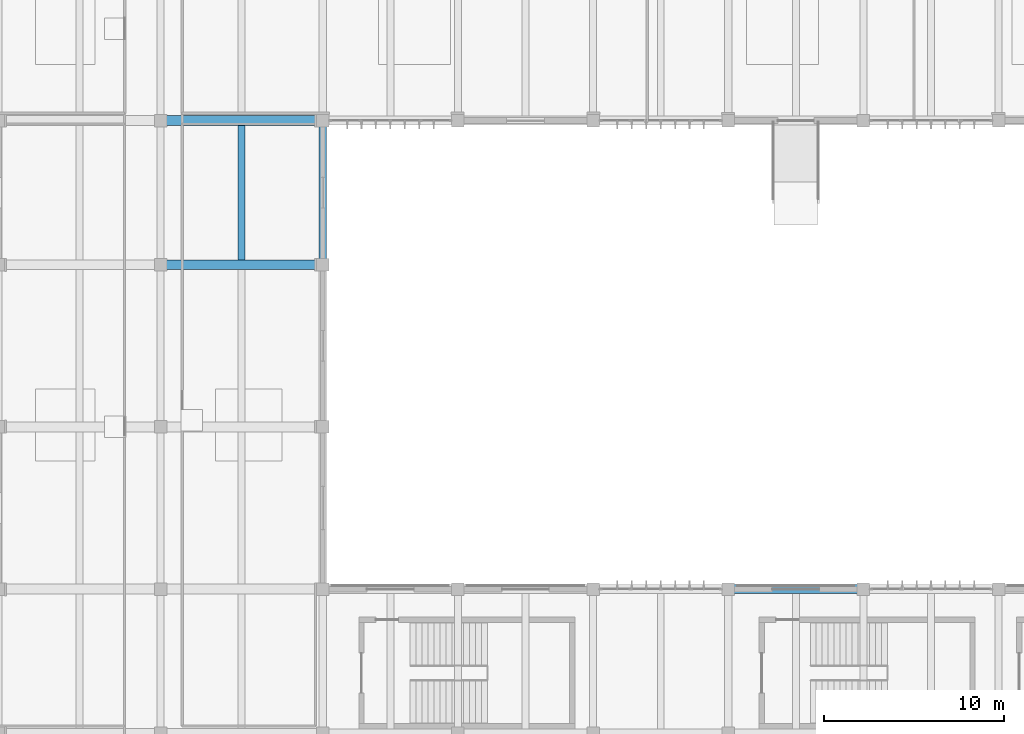
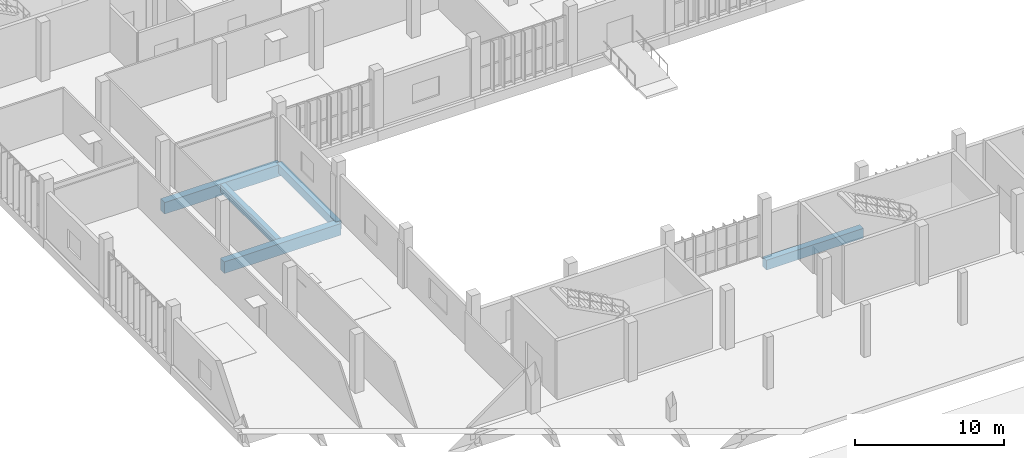
# One storey, part 11 of 72: 5 beams.
"""IFC4 building model written with IfcOpenShell, lengths in metres."""

import ifcopenshell
import ifcopenshell.guid

model = None  # the IFC model being written
_history = None  # IfcOwnerHistory: only IFC2X3 demands one
_inside = {}  # id of a spatial element -> (the spatial element, [elements in it])
_under = {}  # id of a project, library or spatial element -> (it, [spatial elements below it])
_declared = {}  # id of a project -> (the project, [libraries it declares])
_typed = {}  # id of a type object -> (the type object, [elements of that type])
_made_of = {}  # id of a material, layer set ... -> (it, [elements and type objects made of it])


def new_model(schema):
    """Start an empty IFC model of exactly this schema.

    Asked for "IFC4X3", IfcOpenShell would pick the latest addendum, in which some entities
    have other attributes; the version numbers below select the first issue.
    IFC2X3 requires an IfcOwnerHistory on every rooted entity: one is made here for all.
    """
    global model, _history
    if schema == "IFC4X3":
        model = ifcopenshell.file(schema_version=(4, 3, 0, 0))
    else:
        model = ifcopenshell.file(schema=schema)
    _inside.clear()
    _under.clear()
    _declared.clear()
    _typed.clear()
    _made_of.clear()
    _history = None
    if model.schema == "IFC2X3":
        org = make("IfcOrganization", Name="unknown")
        user = make(
            "IfcPersonAndOrganization",
            ThePerson=make("IfcPerson", FamilyName="unknown"),
            TheOrganization=org,
        )
        app = make(
            "IfcApplication",
            ApplicationDeveloper=org,
            Version="unknown",
            ApplicationFullName="unknown",
            ApplicationIdentifier="unknown",
        )
        _history = make(
            "IfcOwnerHistory",
            OwningUser=user,
            OwningApplication=app,
            ChangeAction="ADDED",
            CreationDate=0,
        )
    return model


def make(cls, **values):
    """One entity of the class cls with the attributes given. An attribute that is None is left unset."""
    return model.create_entity(
        cls, **{name: value for name, value in values.items() if value is not None}
    )


def rooted(cls, **values):
    """An entity with a GlobalId (a new one), such as an element, a storey or a relation."""
    return make(cls, GlobalId=ifcopenshell.guid.new(), OwnerHistory=_history, **values)


def si_unit(unit_type, name, prefix=None):
    """IfcSIUnit, for example si_unit("LENGTHUNIT", "METRE", prefix="MILLI")."""
    return make("IfcSIUnit", UnitType=unit_type, Prefix=prefix, Name=name)


def assignment(units):
    """IfcUnitAssignment: the units of a project."""
    return None if units is None else make("IfcUnitAssignment", Units=units)


def point(xyz):
    """IfcCartesianPoint."""
    return None if xyz is None else make("IfcCartesianPoint", Coordinates=xyz)


def direction(xyz):
    """IfcDirection."""
    return None if xyz is None else make("IfcDirection", DirectionRatios=xyz)


def frame(location, z_axis=None, x_axis=None):
    """IfcAxis2Placement3D, a coordinate frame: its origin and axes. An axis left out is left unset."""
    return make(
        "IfcAxis2Placement3D",
        Location=point(location),
        Axis=direction(z_axis),
        RefDirection=direction(x_axis),
    )


def frame_2d(location, x_axis=None):
    """IfcAxis2Placement2D, a coordinate frame in the plane: its origin and x axis."""
    return make(
        "IfcAxis2Placement2D", Location=point(location), RefDirection=direction(x_axis)
    )


def origin():
    """The frame at (0, 0, 0) with its axes left unset."""
    return frame((0.0, 0.0, 0.0))


def origin_2d():
    """The frame at (0, 0) in the plane with its x axis left unset."""
    return frame_2d((0.0, 0.0))


def place(relative_to, where):
    """IfcLocalPlacement: puts the frame where relative to a parent placement (None: the world)."""
    return make(
        "IfcLocalPlacement", PlacementRelTo=relative_to, RelativePlacement=where
    )


def context(
    kind, dimensions, precision=None, world=None, true_north=None, identifier=None
):
    """IfcGeometricRepresentationContext, for example the 3D "Model" context."""
    return make(
        "IfcGeometricRepresentationContext",
        ContextIdentifier=identifier,
        ContextType=kind,
        CoordinateSpaceDimension=dimensions,
        Precision=precision,
        WorldCoordinateSystem=world,
        TrueNorth=true_north,
    )


def subcontext(parent, identifier, kind, view, scale=None):
    """IfcGeometricRepresentationSubContext, for example "Body" below "Model"."""
    return make(
        "IfcGeometricRepresentationSubContext",
        ContextIdentifier=identifier,
        ContextType=kind,
        ParentContext=parent,
        TargetScale=scale,
        TargetView=view,
    )


def project(units=None, contexts=None):
    """IfcProject with its units and contexts."""
    return rooted(
        "IfcProject",
        Name="project",
        RepresentationContexts=contexts,
        UnitsInContext=assignment(units),
    )


def spatial(cls, under=None, at=None, **own):
    """A site, building, storey or space (cls), placed at a placement, below another one or the project."""
    s = rooted(cls, ObjectPlacement=at, **own)
    if under is not None:
        _under.setdefault(under.id(), (under, []))[1].append(s)
    return s


def profile(cls, at=None, kind="AREA", **sizes):
    """A parametric profile (cls). Its sizes go by their IFC names, for example OverallWidth=200.0."""
    return make(cls, ProfileType=kind, Position=at, **sizes)


def rectangle(**sizes):
    """IfcRectangleProfileDef."""
    return profile("IfcRectangleProfileDef", **sizes)


def extrude(swept, where, along, depth):
    """IfcExtrudedAreaSolid: the profile swept, set in the frame where, extruded along a direction by depth."""
    return make(
        "IfcExtrudedAreaSolid",
        SweptArea=swept,
        Position=where,
        ExtrudedDirection=direction(along),
        Depth=depth,
    )


def shape(context_of_items, identifier, shape_type, items):
    """IfcShapeRepresentation: the items that make up one representation, for example the "Body"."""
    return make(
        "IfcShapeRepresentation",
        ContextOfItems=context_of_items,
        RepresentationIdentifier=identifier,
        RepresentationType=shape_type,
        Items=items,
    )


def material(Name=None, Category=None):
    """IfcMaterial."""
    return make("IfcMaterial", Name=Name, Category=Category)


def material_profile(
    of_material, cross_section, Name=None, Category=None, Priority=None
):
    """IfcMaterialProfile: a cross section and its material."""
    return make(
        "IfcMaterialProfile",
        Name=Name,
        Material=of_material,
        Profile=cross_section,
        Priority=Priority,
        Category=Category,
    )


def profile_set(profiles, Name=None, composite=None):
    """IfcMaterialProfileSet."""
    return make(
        "IfcMaterialProfileSet",
        Name=Name,
        MaterialProfiles=profiles,
        CompositeProfile=composite,
    )


def made_of(thing, what):
    """Note that an element or type object is made of a material, layer set ...; save() writes the relation."""
    if what is not None:
        _made_of.setdefault(what.id(), (what, []))[1].append(thing)
    return thing


def type_object(cls, material=None, **own):
    """A type object (cls), such as IfcWallType, which elements share."""
    return made_of(rooted(cls, **own), material)


def element(
    cls,
    number,
    at=None,
    inside=None,
    cuts=None,
    type_object=None,
    material=None,
    context=None,
    identifier="Body",
    shape_type=None,
    held_by="IfcProductDefinitionShape",
    body=None,
    shapes=None,
    **own,
):
    """One element of the class cls, such as IfcWall. Its Tag is "e" and its number.

    at: its placement. inside: the storey or other place that contains it. cuts: it is an
    opening in that element (IfcRelVoidsElement). A single representation is given by context,
    identifier, shape_type and body (its items); several are given by shapes. held_by: the class
    of the entity that holds the representations. save() writes the other relations.
    """
    e = rooted(cls, Tag="e%d" % number, ObjectPlacement=at, **own)
    if body is not None:
        shapes = [shape(context, identifier, shape_type, body)]
    if shapes is not None:
        e.Representation = make(held_by, Representations=shapes)
    if inside is not None:
        _inside.setdefault(inside.id(), (inside, []))[1].append(e)
    if cuts is not None:
        rooted(
            "IfcRelVoidsElement", RelatingBuildingElement=cuts, RelatedOpeningElement=e
        )
    if type_object is not None:
        _typed.setdefault(type_object.id(), (type_object, []))[1].append(e)
    return made_of(e, material)


def aggregate(whole, parts):
    """IfcRelAggregates: a whole, such as a stair, and the parts it consists of."""
    return rooted("IfcRelAggregates", RelatingObject=whole, RelatedObjects=parts)


def save(model, path):
    """Write the relations noted so far, then the file.

    IfcRelAggregates (storeys below a building ...), IfcRelContainedInSpatialStructure (elements
    in a storey), IfcRelDefinesByType, IfcRelAssociatesMaterial and IfcRelDeclares: one each for
    every whole, place, type object, material and project.
    """
    for whole, parts in _under.values():
        aggregate(whole, parts)
    for where, things in _inside.values():
        rooted(
            "IfcRelContainedInSpatialStructure",
            RelatedElements=things,
            RelatingStructure=where,
        )
    for kind, things in _typed.values():
        rooted("IfcRelDefinesByType", RelatedObjects=things, RelatingType=kind)
    for what, things in _made_of.values():
        rooted("IfcRelAssociatesMaterial", RelatedObjects=things, RelatingMaterial=what)
    for by, libraries in _declared.values():
        rooted("IfcRelDeclares", RelatingContext=by, RelatedDefinitions=libraries)
    model.write(path)


model = new_model("IFC4")

# Units and contexts
model_context = context("Model", 3, precision=1e-05, world=origin(), true_north=direction((0.0, 1.0)))
body_context = subcontext(model_context, "Body", "Model", "MODEL_VIEW")
ifc_project = project(units=[si_unit("LENGTHUNIT", "METRE"), si_unit("AREAUNIT", "SQUARE_METRE"), si_unit("VOLUMEUNIT", "CUBIC_METRE"), si_unit("PLANEANGLEUNIT", "RADIAN"), si_unit("MASSUNIT", "GRAM", prefix="KILO")], contexts=[model_context])

# Site, building, storey
site_placement = place(None, origin())
site = spatial("IfcSite", under=ifc_project, at=site_placement, CompositionType="ELEMENT")
building_placement = place(site_placement, origin())
building = spatial("IfcBuilding", under=site, at=building_placement, Name="Vourika Railside Aquatics Centre", CompositionType="ELEMENT")
storey_placement = place(building_placement, origin())
storey = spatial("IfcBuildingStorey", under=building, at=storey_placement, Name="L00", CompositionType="ELEMENT", Elevation=0.0)

# Beams
ifc_material_1 = material(Name="Concrete C35/45", Category="concrete")
ifc_material_profile_1 = material_profile(ifc_material_1, rectangle(XDim=0.39990234375, YDim=0.699951171875, at=origin_2d()), Name="RC 400x700")
ifc_profile_set_1 = profile_set([ifc_material_profile_1], Name="Concrete C35/45")
beam_type_1 = type_object("IfcBeamType", Name="BM-GIRD-400x700", PredefinedType="BEAM", material=ifc_profile_set_1)
beam_1_placement = place(storey_placement, frame((36.0, 84.0, -0.669921875), z_axis=(0.0, 1.0, 0.0), x_axis=(-1.0, 0.0, 0.0)))
element("IfcBeam", 1, at=beam_1_placement, inside=storey, type_object=beam_type_1, Name="Floor Girder GY-L00-217", PredefinedType="BEAM", context=body_context, shape_type="SweptSolid", body=[
    extrude(rectangle(XDim=0.39990234375, YDim=0.699951171875, at=origin_2d()), origin(), (0.0, 0.0, 1.0), 8.0),
])
ifc_material_2 = material(Name="Concrete C40/50", Category="concrete")
ifc_material_profile_2 = material_profile(ifc_material_2, rectangle(XDim=0.550048828125, YDim=0.949951171875, at=origin_2d()), Name="RC 550x950")
ifc_profile_set_2 = profile_set([ifc_material_profile_2], Name="Concrete C40/50")
beam_type_2 = type_object("IfcBeamType", Name="BM-GIRD-550x950", PredefinedType="BEAM", material=ifc_profile_set_2)
for number, where, z_axis, x_axis, name in (
    (2, (27.0, 84.0, -0.794921875), (1.0, 0.0, 0.0), (0.0, 1.0, 0.0), "Floor Beam GX-L00-120"),
    (3, (27.0, 92.0, -0.794921875), (1.0, 0.0, 0.0), (0.0, 1.0, 0.0), "Floor Beam GX-L00-125"),
):
    element("IfcBeam", number, at=place(storey_placement, frame(where, z_axis=z_axis, x_axis=x_axis)), inside=storey, type_object=beam_type_2, Name=name, PredefinedType="BEAM", context=body_context, shape_type="SweptSolid", body=[
        extrude(rectangle(XDim=0.550048828125, YDim=0.949951171875, at=origin_2d()), origin(), (0.0, 0.0, 1.0), 9.0),
    ])
ifc_material_profile_3 = material_profile(ifc_material_1, rectangle(XDim=0.3798828125, YDim=0.64990234375, at=origin_2d()), Name="RC 380x650")
ifc_profile_set_3 = profile_set([ifc_material_profile_3], Name="Concrete C35/45")
beam_type_3 = type_object("IfcBeamType", Name="BM-SEC-380x650", PredefinedType="JOIST", material=ifc_profile_set_3)
beam_2_placement = place(storey_placement, frame((31.5, 84.27490234375, -0.64501953125), z_axis=(0.0, 1.0, 0.0), x_axis=(-1.0, 0.0, 0.0)))
element("IfcBeam", 4, at=beam_2_placement, inside=storey, type_object=beam_type_3, Name="Secondary Joist JY-L00-430", PredefinedType="JOIST", context=body_context, shape_type="SweptSolid", body=[
    extrude(rectangle(XDim=0.3798828125, YDim=0.64990234375, at=origin_2d()), origin(), (0.0, 0.0, 1.0), 7.4501953125),
])
ifc_material_profile_4 = material_profile(ifc_material_2, rectangle(XDim=0.5, YDim=0.800048828125, at=origin_2d()), Name="RC 500x800")
ifc_profile_set_4 = profile_set([ifc_material_profile_4], Name="Concrete C40/50")
beam_type_4 = type_object("IfcBeamType", Name="BM-TIE-500x800", PredefinedType="BEAM", material=ifc_profile_set_4)
beam_3_placement = place(storey_placement, frame((58.5, 66.0, -0.719970703125), z_axis=(1.0, 0.0, 0.0), x_axis=(0.0, 1.0, 0.0)))
element("IfcBeam", 5, at=beam_3_placement, inside=storey, type_object=beam_type_4, Name="Floor Beam GX-L00-100", PredefinedType="BEAM", context=body_context, shape_type="SweptSolid", body=[
    extrude(rectangle(XDim=0.5, YDim=0.800048828125, at=origin_2d()), origin(), (0.0, 0.0, 1.0), 7.5),
])

save(model, "model.ifc")
